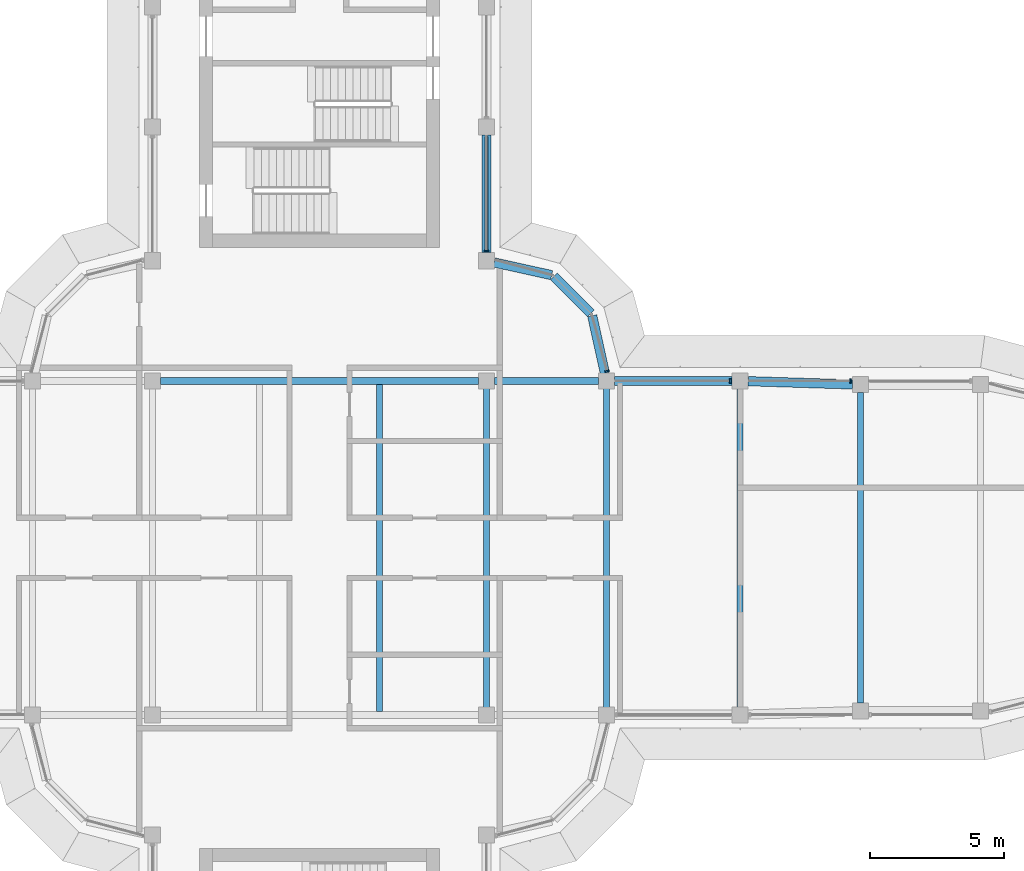
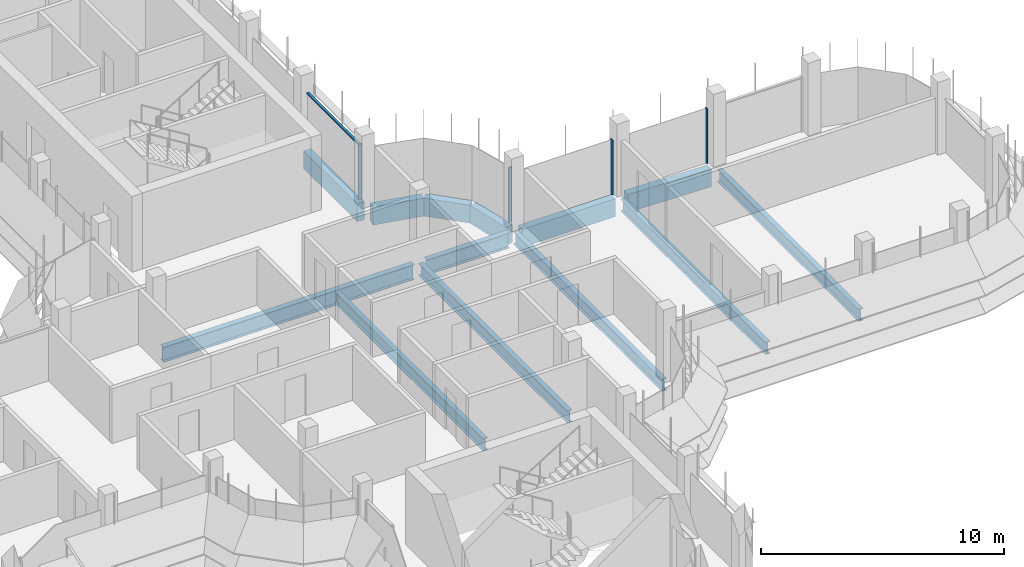
# One storey, part 8 of 19: 13 beams, 5 members, 3 elements without a shape of their own.
"""IFC4 building model written with IfcOpenShell, lengths in metres."""

from ifc_helpers import new_model, si_unit, direction, frame, origin, origin_2d, place, context, subcontext, project, spatial, polyline, rectangle, i_section, outline, extrude, source, transform, mapped, material, material_profile, profile_set, type_object, element, aggregate, save


model = new_model("IFC4")

# Units and contexts
model_context = context("Model", 3, precision=1e-05, world=origin(), true_north=direction((0.0, 1.0)))
body_context = subcontext(model_context, "Body", "Model", "MODEL_VIEW")
ifc_project = project(units=[si_unit("LENGTHUNIT", "METRE"), si_unit("AREAUNIT", "SQUARE_METRE"), si_unit("VOLUMEUNIT", "CUBIC_METRE"), si_unit("PLANEANGLEUNIT", "RADIAN"), si_unit("MASSUNIT", "GRAM", prefix="KILO")], contexts=[model_context])

# Site, building, storey
site_placement = place(None, origin())
site = spatial("IfcSite", under=ifc_project, at=site_placement, CompositionType="ELEMENT")
building_placement = place(site_placement, origin())
building = spatial("IfcBuilding", under=site, at=building_placement, Name="Zarbagh Exchange Tower", CompositionType="ELEMENT")
storey_placement = place(building_placement, frame((0.0, 0.0, 272.60009765625)))
storey = spatial("IfcBuildingStorey", under=building, at=storey_placement, Name="L67", CompositionType="ELEMENT", Elevation=272.60009765625)

# Beams
ifc_material_1 = material(Name="Steel ASTM A992 Gr 50", Category="steel")
ifc_material_profile_1 = material_profile(ifc_material_1, i_section(OverallWidth=0.228271484375, OverallDepth=0.607177734375, WebThickness=0.01123046875, FlangeThickness=0.017333984375, at=origin_2d()), Name="W24X76")
ifc_profile_set_1 = profile_set([ifc_material_profile_1], Name="Steel ASTM A992 Gr 50")
beam_type_1 = type_object("IfcBeamType", Name="Floor beam W24X76", PredefinedType="BEAM", material=ifc_profile_set_1)
for number, where, z_axis, x_axis, name in (
    (1, (2.25, -6.11669921875, -0.45361328125), (0.0, 1.0, 0.0), (-1.0, 0.0, 0.0), "Steel floor beam"),
    (2, (6.25, -6.11669921875, -0.45361328125), (0.0, 1.0, 0.0), (-1.0, 0.0, 0.0), "Steel floor beam"),
    (3, (10.75, -6.11669921875, -0.45361328125), (0.0, 1.0, 0.0), (-1.0, 0.0, 0.0), "Steel floor beam"),
):
    element("IfcBeam", number, at=place(storey_placement, frame(where, z_axis=z_axis, x_axis=x_axis)), inside=storey, type_object=beam_type_1, Name=name, PredefinedType="BEAM", context=body_context, shape_type="SweptSolid", body=[
        extrude(i_section(OverallWidth=0.228271484375, OverallDepth=0.607177734375, WebThickness=0.01123046875, FlangeThickness=0.017333984375, at=origin_2d()), origin(), (0.0, 0.0, 1.0), 12.2333984375),
    ])
beam_1_placement = place(storey_placement, frame((15.75, -5.949951171875, -0.45361328125), z_axis=(0.0, 1.0, 0.0), x_axis=(-1.0, 0.0, 0.0)))
element("IfcBeam", 4, at=beam_1_placement, inside=storey, type_object=beam_type_1, Name="Steel floor beam", PredefinedType="BEAM", context=body_context, shape_type="SweptSolid", body=[
    extrude(i_section(OverallWidth=0.228271484375, OverallDepth=0.607177734375, WebThickness=0.01123046875, FlangeThickness=0.017333984375, at=origin_2d()), origin(), (0.0, 0.0, 1.0), 11.89990234375),
])
beam_2_placement = place(storey_placement, frame((20.25, -5.81005859375, -0.45361328125), z_axis=(0.0, 1.0, 0.0), x_axis=(-1.0, 0.0, 0.0)))
element("IfcBeam", 5, at=beam_2_placement, inside=storey, type_object=beam_type_1, Name="Steel floor beam", PredefinedType="BEAM", context=body_context, shape_type="SweptSolid", body=[
    extrude(i_section(OverallWidth=0.228271484375, OverallDepth=0.607177734375, WebThickness=0.01123046875, FlangeThickness=0.017333984375, at=origin_2d()), origin(), (0.0, 0.0, 1.0), 11.6201171875),
])
ifc_material_profile_2 = material_profile(ifc_material_1, i_section(OverallWidth=0.2666015625, OverallDepth=0.7568359375, WebThickness=0.013916015625, FlangeThickness=0.019287109375, at=origin_2d()), Name="W30X108")
ifc_profile_set_2 = profile_set([ifc_material_profile_2], Name="Steel ASTM A992 Gr 50")
beam_type_2 = type_object("IfcBeamType", Name="Floor girder W30X108", PredefinedType="BEAM", material=ifc_profile_set_2)
beam_3_placement = place(storey_placement, frame((-5.949951171875, 6.25, -0.528564453125), z_axis=(1.0, 0.0, 0.0), x_axis=(0.0, 1.0, 0.0)))
element("IfcBeam", 6, at=beam_3_placement, inside=storey, type_object=beam_type_2, Name="Steel girder", PredefinedType="BEAM", context=body_context, shape_type="SweptSolid", body=[
    extrude(i_section(OverallWidth=0.2666015625, OverallDepth=0.7568359375, WebThickness=0.013916015625, FlangeThickness=0.019287109375, at=origin_2d()), origin(), (0.0, 0.0, 1.0), 11.89990234375),
])
beam_4_placement = place(storey_placement, frame((6.550048828125, 6.25, -0.528564453125), z_axis=(1.0, 0.0, 0.0), x_axis=(0.0, 1.0, 0.0)))
element("IfcBeam", 7, at=beam_4_placement, inside=storey, type_object=beam_type_2, Name="Steel girder", PredefinedType="BEAM", context=body_context, shape_type="SweptSolid", body=[
    extrude(i_section(OverallWidth=0.2666015625, OverallDepth=0.7568359375, WebThickness=0.013916015625, FlangeThickness=0.019287109375, at=origin_2d()), origin(), (0.0, 0.0, 1.0), 3.89990234375),
])
ifc_material_2 = material(Name="Concrete C40/50", Category="concrete")
ifc_material_profile_3 = material_profile(ifc_material_2, rectangle(XDim=0.35009765625, YDim=0.89990234375, at=origin_2d()), Name="RC spandrel beam 350 x 900 C40/50")
ifc_profile_set_3 = profile_set([ifc_material_profile_3], Name="Concrete C40/50")
beam_type_3 = type_object("IfcBeamType", Name="RC spandrel beam 350 x 900 C40/50", PredefinedType="SPANDREL", material=ifc_profile_set_3)
beam_5_placement = place(storey_placement, frame((6.25, 15.449951171875, -0.60009765625), z_axis=(0.0, -1.0, 0.0), x_axis=(1.0, 0.0, 0.0)))
element("IfcBeam", 8, at=beam_5_placement, inside=storey, type_object=beam_type_3, Name="RC spandrel beam", PredefinedType="SPANDREL", context=body_context, shape_type="SweptSolid", body=[
    extrude(rectangle(XDim=0.35009765625, YDim=0.89990234375, at=origin_2d()), origin(), (0.0, 0.0, 1.0), 4.39990234375),
])
beam_6_placement = place(storey_placement, frame((6.54296875, 10.685302734375, -0.60009765625), z_axis=(0.976387662047, -0.216025770228, 0.0), x_axis=(0.216025770228, 0.976387662047, 0.0)))
element("IfcBeam", 9, at=beam_6_placement, inside=storey, type_object=beam_type_3, Name="RC spandrel beam", PredefinedType="SPANDREL", context=body_context, shape_type="SweptSolid", body=[
    extrude(rectangle(XDim=0.35009765625, YDim=0.89990234375, at=origin_2d()), origin(), (0.0, 0.0, 1.0), 2.200439453125),
])
beam_7_placement = place(storey_placement, frame((8.77734375, 10.16259765625, -0.60009765625), z_axis=(0.707106781187, -0.707106781187, 0.0), x_axis=(0.707106781187, 0.707106781187, 0.0)))
element("IfcBeam", 10, at=beam_7_placement, inside=storey, type_object=beam_type_3, Name="RC spandrel beam", PredefinedType="SPANDREL", context=body_context, shape_type="SweptSolid", body=[
    extrude(rectangle(XDim=0.35009765625, YDim=0.89990234375, at=origin_2d()), origin(), (0.0, 0.0, 1.0), 1.958984375),
])
beam_8_placement = place(storey_placement, frame((10.2099609375, 8.69140625, -0.60009765625), z_axis=(0.216025770228, -0.976387662047, 0.0), x_axis=(0.976387662047, 0.216025770228, 0.0)))
element("IfcBeam", 11, at=beam_8_placement, inside=storey, type_object=beam_type_3, Name="RC spandrel beam", PredefinedType="SPANDREL", context=body_context, shape_type="SweptSolid", body=[
    extrude(rectangle(XDim=0.35009765625, YDim=0.89990234375, at=origin_2d()), origin(), (0.0, 0.0, 1.0), 2.200439453125),
])
beam_9_placement = place(storey_placement, frame((11.050048828125, 6.25, -0.60009765625), z_axis=(1.0, 0.0, 0.0), x_axis=(0.0, 1.0, 0.0)))
element("IfcBeam", 12, at=beam_9_placement, inside=storey, type_object=beam_type_3, Name="RC spandrel beam", PredefinedType="SPANDREL", context=body_context, shape_type="SweptSolid", body=[
    extrude(rectangle(XDim=0.35009765625, YDim=0.89990234375, at=origin_2d()), origin(), (0.0, 0.0, 1.0), 4.39990234375),
])
beam_10_placement = place(storey_placement, frame((16.0498046875, 6.24072265625, -0.60009765625), z_axis=(0.999516460907, -0.031094121249, 0.0), x_axis=(0.031094121249, 0.999516460907, 0.0)))
element("IfcBeam", 13, at=beam_10_placement, inside=storey, type_object=beam_type_3, Name="RC spandrel beam", PredefinedType="SPANDREL", context=body_context, shape_type="SweptSolid", body=[
    extrude(rectangle(XDim=0.35009765625, YDim=0.89990234375, at=origin_2d()), origin(), (0.0, 0.0, 1.0), 3.90234375),
])

# Curtain wall, members
ifc_material_3 = material(Name="Anodised aluminium frame and glazing", Category="aluminium")
curtain_wall_type = type_object("IfcCurtainWallType", Name="CWB Ribbon glazing, upper zones", PredefinedType="NOTDEFINED", material=ifc_material_3)
curtain_wall_1_placement = place(storey_placement, origin())
curtain_wall_1 = element("IfcCurtainWall", 14, at=curtain_wall_1_placement, inside=storey, type_object=curtain_wall_type, Name="CWB82 curtain wall", PredefinedType="NOTDEFINED")
ifc_material_4 = material(Name="Anodised aluminium frame", Category="aluminium")
member_type_1 = type_object("IfcMemberType", Name="MUB Mullion, anodised aluminium frame", PredefinedType="MULLION", material=ifc_material_4)
shared_shape_1 = source(origin(), body_context, "Body", "SweptSolid", [
    extrude(outline(polyline([(0.0, -0.080078125), (0.06005859375, -0.080078125), (0.06005859375, 0.080078125), (0.0, 0.080078125), (0.0, -0.080078125)])), origin(), (0.0, 0.0, 1.0), 2.75),
])
placement = place(storey_placement, origin())
member_1 = element("IfcMember", 15, at=placement, type_object=member_type_1, Name="CWB82 mullion 2.1", PredefinedType="MULLION", context=body_context, shape_type="MappedRepresentation", body=[
    mapped(shared_shape_1, transform((19.909912109375, 6.25, 0.0), x_axis=(-1.0, 0.0, 0.0), y_axis=(0.0, -1.0, 0.0), z_axis=(0.0, 0.0, 1.0))),
])
member_2 = element("IfcMember", 16, at=placement, type_object=member_type_1, Name="CWB82 mullion 3.1", PredefinedType="MULLION", context=body_context, shape_type="MappedRepresentation", body=[
    mapped(shared_shape_1, transform((15.409912109375, 6.25, 0.0), x_axis=(-1.0, 0.0, 0.0), y_axis=(0.0, -1.0, 0.0), z_axis=(0.0, 0.0, 1.0))),
])
aggregate(curtain_wall_1, [member_1, member_2])

# Curtain wall, member
curtain_wall_2_placement = place(storey_placement, origin())
curtain_wall_2 = element("IfcCurtainWall", 17, at=curtain_wall_2_placement, inside=storey, type_object=curtain_wall_type, Name="CWB17 curtain wall", PredefinedType="NOTDEFINED")
member_3 = element("IfcMember", 18, at=placement, type_object=member_type_1, Name="CWB17 mullion 1.1", PredefinedType="MULLION", context=body_context, shape_type="MappedRepresentation", body=[
    mapped(shared_shape_1, transform((10.775146484375, 6.590087890625, 0.0), x_axis=(-0.258824779902, 0.965924289636, 0.0), y_axis=(-0.965924289636, -0.258824779902, 0.0), z_axis=(0.0, 0.0, 1.0))),
])
aggregate(curtain_wall_2, [member_3])

# Curtain wall, members
curtain_wall_3_placement = place(storey_placement, origin())
curtain_wall_3 = element("IfcCurtainWall", 19, at=curtain_wall_3_placement, inside=storey, type_object=curtain_wall_type, Name="CWB67 curtain wall", PredefinedType="NOTDEFINED")
member_4 = element("IfcMember", 20, at=placement, type_object=member_type_1, Name="CWB67 mullion 1.1", PredefinedType="MULLION", context=body_context, shape_type="MappedRepresentation", body=[
    mapped(shared_shape_1, transform((6.25, 11.090087890625, 0.0), x_axis=(0.0, 1.0, 0.0), y_axis=(-1.0, 0.0, 0.0), z_axis=(0.0, 0.0, 1.0))),
])
member_type_2 = type_object("IfcMemberType", Name="TRB Transom, anodised aluminium frame", PredefinedType="USERDEFINED", material=ifc_material_4)
shared_shape_2 = source(origin(), body_context, "Body", "SweptSolid", [
    extrude(outline(polyline([(-0.06005859375, -0.06005859375), (0.0, -0.06005859375), (0.0, 0.06005859375), (-0.06005859375, 0.06005859375), (-0.06005859375, -0.06005859375)])), origin(), (0.0, 0.0, 1.0), 4.260009765625),
])
member_5 = element("IfcMember", 21, at=placement, type_object=member_type_2, Name="CWB67 transom 1.1", ObjectType="TRANSOM", PredefinedType="USERDEFINED", context=body_context, shape_type="MappedRepresentation", body=[
    mapped(shared_shape_2, transform((6.25, 11.150146484375, 2.75), x_axis=(0.0, 0.0, 1.0), y_axis=(1.0, 0.0, 0.0), z_axis=(0.0, 1.0, 0.0))),
])
aggregate(curtain_wall_3, [member_4, member_5])

save(model, "model.ifc")
